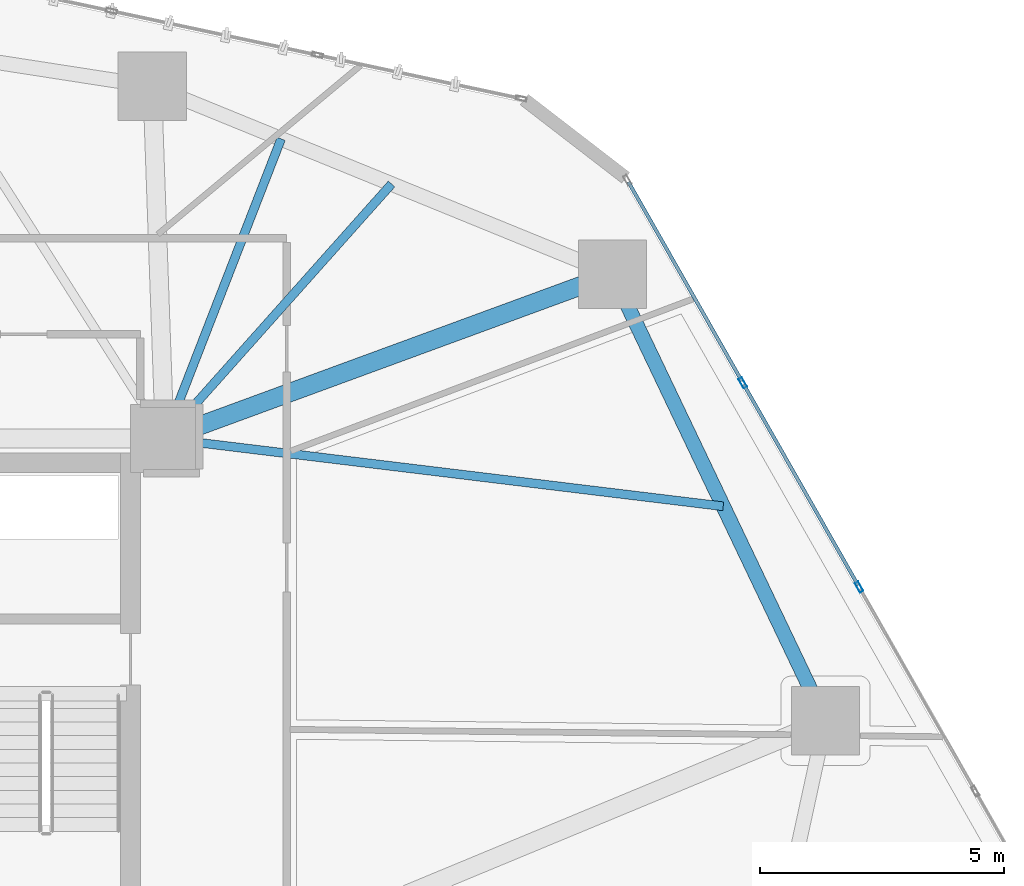
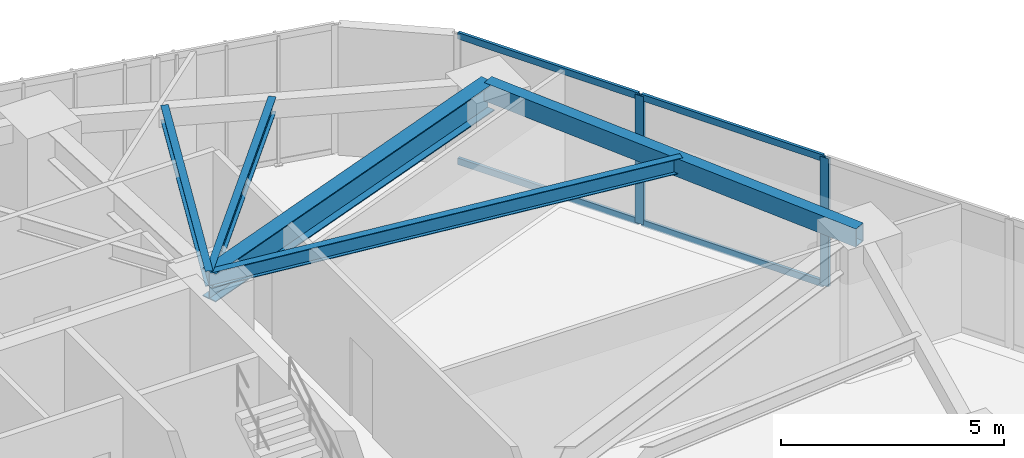
# One storey, part 12 of 22: 6 members, 5 beams, 1 element without a shape of its own.
"""IFC4 building model written with IfcOpenShell, lengths in metres."""

from ifc_helpers import new_model, si_unit, direction, frame, origin, origin_2d, place, context, subcontext, project, spatial, hollow_rectangle, i_section, extrude, source, transform, mapped, material, layer, layer_set, material_profile, profile_set, type_object, type_shapes, element, aggregate, save


model = new_model("IFC4")

# Units and contexts
model_context = context("Model", 3, precision=1e-05, world=origin(), true_north=direction((0.0, 1.0)))
body_context = subcontext(model_context, "Body", "Model", "MODEL_VIEW")
ifc_project = project(units=[si_unit("LENGTHUNIT", "METRE"), si_unit("AREAUNIT", "SQUARE_METRE"), si_unit("VOLUMEUNIT", "CUBIC_METRE"), si_unit("PLANEANGLEUNIT", "RADIAN"), si_unit("MASSUNIT", "GRAM", prefix="KILO")], contexts=[model_context])

# Site, building, storey
site_placement = place(None, origin())
site = spatial("IfcSite", under=ifc_project, at=site_placement, CompositionType="ELEMENT")
building_placement = place(site_placement, origin())
building = spatial("IfcBuilding", under=site, at=building_placement, Name="Talar Marvaseh", CompositionType="ELEMENT")
storey_placement = place(building_placement, frame((0.0, 0.0, 54.39990234375)))
storey = spatial("IfcBuildingStorey", under=building, at=storey_placement, Name="L13", CompositionType="ELEMENT", Elevation=54.39990234375)

# Beams
ifc_material_1 = material(Name="Steel S355", Category="steel")
ifc_material_profile_1 = material_profile(ifc_material_1, hollow_rectangle(XDim=0.300048828125, YDim=0.5, WallThickness=0.02001953125, at=origin_2d()), Name="RHS500x300x20")
ifc_profile_set_1 = profile_set([ifc_material_profile_1], Name="Steel S355")
beam_type_1 = type_object("IfcBeamType", Name="Zone 1 Perimeter Spandrel Beam RHS500x300x20", PredefinedType="SPANDREL", material=ifc_profile_set_1)
beam_1_placement = place(storey_placement, frame((42.47705078125, 40.26904296875, 3.27001953125), z_axis=(0.430480372911, -0.902599938255, 0.0), x_axis=(0.902599938255, 0.430480372911, 0.0)))
element("IfcBeam", 1, at=beam_1_placement, inside=storey, type_object=beam_type_1, Name="L13 Zone 1 Perimeter Spandrel Beam RHS500x300x20", PredefinedType="SPANDREL", context=body_context, shape_type="SweptSolid", body=[
    extrude(hollow_rectangle(XDim=0.300048828125, YDim=0.5, WallThickness=0.02001953125, at=origin_2d()), origin(), (0.0, 0.0, 1.0), 10.137451171875),
])
ifc_material_profile_2 = material_profile(ifc_material_1, i_section(OverallWidth=0.381103515625, OverallDepth=0.77294921875, WebThickness=0.0166015625, FlangeThickness=0.027099609375, at=origin_2d()), Name="W760x257")
ifc_profile_set_2 = profile_set([ifc_material_profile_2], Name="Steel S355")
beam_type_2 = type_object("IfcBeamType", Name="Zone 1 Radial Floor Girder W760x257", PredefinedType="BEAM", material=ifc_profile_set_2)
beam_2_placement = place(storey_placement, frame((42.47705078125, 40.26904296875, 3.133544921875), z_axis=(-0.938736057616, -0.344636930887, 0.0), x_axis=(0.344636930887, -0.938736057616, 0.0)))
element("IfcBeam", 2, at=beam_2_placement, inside=storey, type_object=beam_type_2, Name="L13 Zone 1 Radial Floor Girder W760x257", PredefinedType="BEAM", context=body_context, shape_type="SweptSolid", body=[
    extrude(i_section(OverallWidth=0.381103515625, OverallDepth=0.77294921875, WebThickness=0.0166015625, FlangeThickness=0.027099609375, at=origin_2d()), origin(), (0.0, 0.0, 1.0), 9.77587890625),
])
ifc_material_profile_3 = material_profile(ifc_material_1, i_section(OverallWidth=0.179931640625, OverallDepth=0.4130859375, WebThickness=0.009765625, FlangeThickness=0.01611328125, at=origin_2d()), Name="W410x75")
ifc_profile_set_3 = profile_set([ifc_material_profile_3], Name="Steel S355")
beam_type_3 = type_object("IfcBeamType", Name="Zone 1 Secondary Floor Joist W410x75", PredefinedType="JOIST", material=ifc_profile_set_3)
beam_3_placement = place(storey_placement, frame((44.746337890625, 35.510986328125, 3.3134765625), z_axis=(-0.99271836771, 0.120458467577, 0.0), x_axis=(-0.120458467577, -0.99271836771, 0.0)))
element("IfcBeam", 3, at=beam_3_placement, inside=storey, type_object=beam_type_3, Name="L13 Zone 1 Secondary Floor Joist W410x75", PredefinedType="JOIST", context=body_context, shape_type="SweptSolid", body=[
    extrude(i_section(OverallWidth=0.179931640625, OverallDepth=0.4130859375, WebThickness=0.009765625, FlangeThickness=0.01611328125, at=origin_2d()), origin(), (0.0, 0.0, 1.0), 11.5302734375),
])
beam_4_placement = place(storey_placement, frame((35.686767578125, 43.040283203125, 3.3134765625), z_axis=(-0.362287091686, -0.932066555133, 0.0), x_axis=(0.932066555133, -0.362287091686, 0.0)))
element("IfcBeam", 4, at=beam_4_placement, inside=storey, type_object=beam_type_3, Name="L13 Zone 1 Secondary Floor Joist W410x75", PredefinedType="JOIST", context=body_context, shape_type="SweptSolid", body=[
    extrude(i_section(OverallWidth=0.179931640625, OverallDepth=0.4130859375, WebThickness=0.009765625, FlangeThickness=0.01611328125, at=origin_2d()), origin(), (0.0, 0.0, 1.0), 6.587890625),
])
beam_5_placement = place(storey_placement, frame((37.9501953125, 42.116455078125, 3.3134765625), z_axis=(-0.665419195859, -0.746469888062, 0.0), x_axis=(0.746469888062, -0.665419195859, 0.0)))
element("IfcBeam", 5, at=beam_5_placement, inside=storey, type_object=beam_type_3, Name="L13 Zone 1 Secondary Floor Joist W410x75", PredefinedType="JOIST", context=body_context, shape_type="SweptSolid", body=[
    extrude(i_section(OverallWidth=0.179931640625, OverallDepth=0.4130859375, WebThickness=0.009765625, FlangeThickness=0.01611328125, at=origin_2d()), origin(), (0.0, 0.0, 1.0), 6.98828125),
])

# Curtain wall, members
ifc_material_2 = material(Name="Architectural Aluminium", Category="aluminium")
ifc_layer = layer(ifc_material_2, 0.219970703125)
ifc_layer_set = layer_set([ifc_layer], Name="Architectural Aluminium")
curtain_wall_type = type_object("IfcCurtainWallType", Name="Unitised Low-E Museum Curtain Wall Z1", PredefinedType="NOTDEFINED", material=ifc_layer_set)
curtain_wall_placement = place(storey_placement, origin())
curtain_wall = element("IfcCurtainWall", 6, at=curtain_wall_placement, inside=storey, type_object=curtain_wall_type, Name="L13 Unitised Low-E Museum Curtain Wall Z1", PredefinedType="NOTDEFINED")
ifc_material_profile_4 = material_profile(ifc_material_2, hollow_rectangle(XDim=0.080078125, YDim=0.219970703125, WallThickness=0.0048828125, at=origin_2d()), Name="RHS220x80x5")
ifc_profile_set_4 = profile_set([ifc_material_profile_4], Name="Architectural Aluminium")
member_type_1 = type_object("IfcMemberType", Name="Unitised Curtain Wall Heavy Mullion RHS220x80x5", PredefinedType="MULLION", material=ifc_profile_set_4)
shared_shape_1 = source(origin(), body_context, "Body", "SweptSolid", [
    extrude(hollow_rectangle(XDim=0.080078125, YDim=0.219970703125, WallThickness=0.0048828125, at=origin_2d()), origin(), (0.0, 0.0, 1.0), 3.52001953125),
])
type_shapes(member_type_1, [shared_shape_1])
member_1_placement = place(storey_placement, frame((45.14697265625, 38.041015625, 0.0), z_axis=(0.0, 0.0, 1.0), x_axis=(0.869028750934, 0.494761589101, 0.0)))
member_1 = element("IfcMember", 7, at=member_1_placement, type_object=member_type_1, Name="CW-Z1 mullion 2", PredefinedType="MULLION", context=body_context, shape_type="MappedRepresentation", body=[
    mapped(shared_shape_1, transform((0.0, 0.0, 0.0), x_axis=(1.0, 0.0, 0.0), y_axis=(0.0, 1.0, 0.0), z_axis=(0.0, 0.0, 1.0), scale=1.0)),
])
member_2_placement = place(storey_placement, frame((47.530029296875, 33.85546875, 0.0), z_axis=(0.0, 0.0, 1.0), x_axis=(0.869028750934, 0.494761589101, 0.0)))
member_2 = element("IfcMember", 8, at=member_2_placement, type_object=member_type_1, Name="CW-Z1 mullion 3", PredefinedType="MULLION", context=body_context, shape_type="MappedRepresentation", body=[
    mapped(shared_shape_1, transform((0.0, 0.0, 0.0), x_axis=(1.0, 0.0, 0.0), y_axis=(0.0, 1.0, 0.0), z_axis=(0.0, 0.0, 1.0), scale=1.0)),
])
ifc_material_profile_5 = material_profile(ifc_material_2, hollow_rectangle(XDim=0.074951171875, YDim=0.179931640625, WallThickness=0.0048828125, at=origin_2d()), Name="RHS180x75x5")
ifc_profile_set_5 = profile_set([ifc_material_profile_5], Name="Architectural Aluminium")
member_type_2 = type_object("IfcMemberType", Name="Unitised Curtain Wall Transom RHS180x75x5", PredefinedType="USERDEFINED", material=ifc_profile_set_5)
shared_shape_2 = source(origin(), body_context, "Body", "SweptSolid", [
    extrude(hollow_rectangle(XDim=0.074951171875, YDim=0.179931640625, WallThickness=0.0048828125, at=origin_2d()), origin(), (0.0, 0.0, 1.0), 4.69677734375),
])
member_3_placement = place(storey_placement, frame((42.803466796875, 42.157470703125, 0.03759765625), z_axis=(0.494761200825, -0.86902897199, 0.0), x_axis=(0.86902897199, 0.494761200825, 0.0)))
member_3 = element("IfcMember", 9, at=member_3_placement, type_object=member_type_2, Name="CW-Z1 transom 1.1", ObjectType="TRANSOM", PredefinedType="USERDEFINED", context=body_context, shape_type="MappedRepresentation", body=[
    mapped(shared_shape_2, transform((0.0, 0.0, 0.0), x_axis=(1.0, 0.0, 0.0), y_axis=(0.0, 1.0, 0.0), z_axis=(0.0, 0.0, 1.0), scale=1.0)),
])
member_4_placement = place(storey_placement, frame((42.803466796875, 42.157470703125, 3.482666015625), z_axis=(0.494761200825, -0.86902897199, 0.0), x_axis=(0.86902897199, 0.494761200825, 0.0)))
member_4 = element("IfcMember", 10, at=member_4_placement, type_object=member_type_2, Name="CW-Z1 transom 1.2", ObjectType="TRANSOM", PredefinedType="USERDEFINED", context=body_context, shape_type="MappedRepresentation", body=[
    mapped(shared_shape_2, transform((0.0, 0.0, 0.0), x_axis=(1.0, 0.0, 0.0), y_axis=(0.0, 1.0, 0.0), z_axis=(0.0, 0.0, 1.0), scale=1.0)),
])
shared_shape_3 = source(origin(), body_context, "Body", "SweptSolid", [
    extrude(hollow_rectangle(XDim=0.074951171875, YDim=0.179931640625, WallThickness=0.0048828125, at=origin_2d()), origin(), (0.0, 0.0, 1.0), 4.736572265625),
])
type_shapes(member_type_2, [shared_shape_2, shared_shape_3])
member_5_placement = place(storey_placement, frame((45.166748046875, 38.00634765625, 0.03759765625), z_axis=(0.494767259332, -0.869025522694, 0.0), x_axis=(0.869025522694, 0.494767259332, 0.0)))
member_5 = element("IfcMember", 11, at=member_5_placement, type_object=member_type_2, Name="CW-Z1 transom 2.1", ObjectType="TRANSOM", PredefinedType="USERDEFINED", context=body_context, shape_type="MappedRepresentation", body=[
    mapped(shared_shape_3, transform((0.0, 0.0, 0.0), x_axis=(1.0, 0.0, 0.0), y_axis=(0.0, 1.0, 0.0), z_axis=(0.0, 0.0, 1.0), scale=1.0)),
])
member_6_placement = place(storey_placement, frame((45.166748046875, 38.00634765625, 3.482666015625), z_axis=(0.494767259332, -0.869025522694, 0.0), x_axis=(0.869025522694, 0.494767259332, 0.0)))
member_6 = element("IfcMember", 12, at=member_6_placement, type_object=member_type_2, Name="CW-Z1 transom 2.2", ObjectType="TRANSOM", PredefinedType="USERDEFINED", context=body_context, shape_type="MappedRepresentation", body=[
    mapped(shared_shape_3, transform((0.0, 0.0, 0.0), x_axis=(1.0, 0.0, 0.0), y_axis=(0.0, 1.0, 0.0), z_axis=(0.0, 0.0, 1.0), scale=1.0)),
])
aggregate(curtain_wall, [member_1, member_2, member_3, member_4, member_5, member_6])

save(model, "model.ifc")
